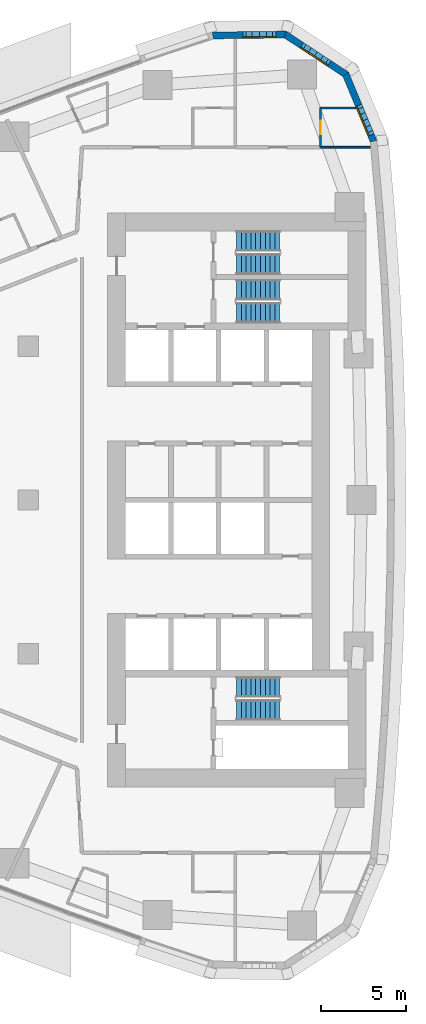
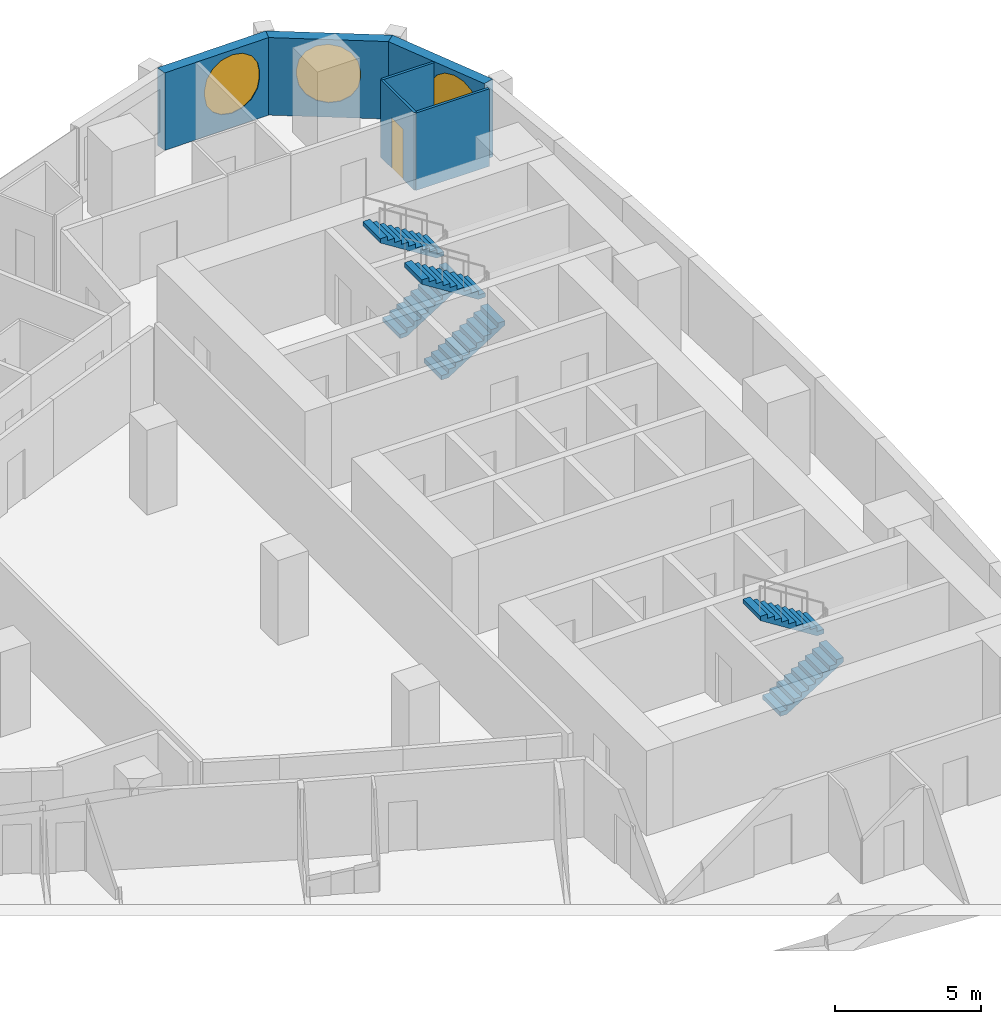
# One storey, part 13 of 17: 6 stair flights, 6 walls, 3 windows, 1 door, 4 openings, 3 elements without a shape of their own.
"""IFC4 building model written with IfcOpenShell, lengths in metres."""

from ifc_helpers import new_model, si_unit, direction, frame, frame_2d, origin, place, context, subcontext, project, spatial, polyline, rectangle, outline, extrude, material, layer, layer_set, type_object, element, fill, aggregate, save


model = new_model("IFC4")

# Units and contexts
model_context = context("Model", 3, precision=1e-05, world=origin(), true_north=direction((0.0, 1.0)))
body_context = subcontext(model_context, "Body", "Model", "MODEL_VIEW")
ifc_project = project(units=[si_unit("LENGTHUNIT", "METRE"), si_unit("AREAUNIT", "SQUARE_METRE"), si_unit("VOLUMEUNIT", "CUBIC_METRE"), si_unit("PLANEANGLEUNIT", "RADIAN"), si_unit("MASSUNIT", "GRAM", prefix="KILO")], contexts=[model_context])

# Site, building, storey
site_placement = place(None, origin())
site = spatial("IfcSite", under=ifc_project, at=site_placement, CompositionType="ELEMENT")
building_placement = place(site_placement, origin())
building = spatial("IfcBuilding", under=site, at=building_placement, Name="Ostrand Prow Hotel Tower", CompositionType="ELEMENT")
storey_placement = place(building_placement, frame((0.0, 0.0, 99.10009765625)))
storey = spatial("IfcBuildingStorey", under=building, at=storey_placement, Name="L23", CompositionType="ELEMENT", Elevation=99.10009765625)

# Wall, opening, door
ifc_material_1 = material(Name="Plasterboard partition")
ifc_layer_1 = layer(ifc_material_1, 0.10009765625)
ifc_layer_set_1 = layer_set([ifc_layer_1], Name="Plasterboard partition")
wall_type_1 = type_object("IfcWallType", Name="Partition 100 bathroom wall", PredefinedType="PARTITIONING", material=ifc_layer_set_1)
wall_1_placement = place(storey_placement, frame((62.111083984375, 20.64990234375, 0.0), z_axis=(0.0, 0.0, 1.0), x_axis=(0.0, 1.0, 0.0)))
wall_1 = element("IfcWall", 1, at=wall_1_placement, inside=storey, type_object=wall_type_1, Name="BATHROOM WALL", PredefinedType="PARTITIONING", context=body_context, shape_type="SweptSolid", body=[
    extrude(rectangle(XDim=2.300048828125, YDim=0.10009765625, at=frame_2d((1.14990234375, 0.0))), origin(), (0.0, 0.0, 1.0), 3.25),
])
opening_1_placement = place(wall_1_placement, frame((0.75, 0.0, 0.0)))
opening_1 = element("IfcOpeningElement", 2, at=opening_1_placement, cuts=wall_1, Name="Opening D2", PredefinedType="OPENING", context=body_context, shape_type="SweptSolid", body=[
    extrude(rectangle(XDim=0.800048828125, YDim=2.10009765625, at=frame_2d((0.39990234375, 1.050048828125))), frame((0.0, 0.06005859375, 0.0), z_axis=(0.0, -1.0, 0.0), x_axis=(1.0, 0.0, 0.0)), (0.0, 0.0, 1.0), 0.1201171875),
])
ifc_material_2 = material(Name="Timber door leaf", Category="wood")
door_type = type_object("IfcDoorType", Name="Bathroom door 800", OperationType="SINGLE_SWING_LEFT", PredefinedType="DOOR", material=ifc_material_2)
door_placement = place(opening_1_placement, origin())
door = element("IfcDoor", 3, at=door_placement, inside=storey, type_object=door_type, Name="DOOR", OperationType="SINGLE_SWING_LEFT", OverallHeight=2.10009765625, OverallWidth=0.800048828125, PredefinedType="DOOR", context=body_context, shape_type="SweptSolid", body=[
    extrude(rectangle(XDim=0.800048828125, YDim=2.10009765625, at=frame_2d((0.39990234375, 1.050048828125))), frame((0.0, 0.02490234375, 0.0), z_axis=(0.0, -1.0, 0.0), x_axis=(1.0, 0.0, 0.0)), (0.0, 0.0, 1.0), 0.050048828125),
])
fill(opening_1, door)

# Walls
wall_2_placement = place(storey_placement, frame((62.111083984375, 22.949951171875, 0.0), z_axis=(0.0, 0.0, 1.0), x_axis=(1.0, 0.0, 0.0)))
element("IfcWall", 4, at=wall_2_placement, inside=storey, type_object=wall_type_1, Name="BATHROOM WALL", PredefinedType="PARTITIONING", context=body_context, shape_type="SweptSolid", body=[
    extrude(rectangle(XDim=2.04931640625, YDim=0.10009765625, at=frame_2d((1.024658203125, 0.0))), origin(), (0.0, 0.0, 1.0), 3.25),
])
wall_3_placement = place(storey_placement, frame((65.016845703125, 20.655029296875, 0.0), z_axis=(0.0, 0.0, 1.0), x_axis=(-1.0, 0.0, 0.0)))
element("IfcWall", 5, at=wall_3_placement, inside=storey, type_object=wall_type_1, Name="BATHROOM WALL", PredefinedType="PARTITIONING", context=body_context, shape_type="SweptSolid", body=[
    extrude(rectangle(XDim=2.90576171875, YDim=0.10009765625, at=frame_2d((1.452880859375, 0.0))), origin(), (0.0, 0.0, 1.0), 3.25),
])

# Wall, opening, window
ifc_material_3 = material(Name="Precast concrete C40/50", Category="concrete")
ifc_layer_2 = layer(ifc_material_3, 0.39990234375)
ifc_layer_set_2 = layer_set([ifc_layer_2], Name="Precast concrete C40/50")
wall_type_2 = type_object("IfcWallType", Name="Stone-faced precast wall 400 mm", PredefinedType="NOTDEFINED", material=ifc_layer_set_2)
wall_4_placement = place(storey_placement, frame((65.21728515625, 21.001708984375, 0.0), z_axis=(0.0, 0.0, 1.0), x_axis=(-0.383997751971, 0.923334027577, 0.0)))
wall_4 = element("IfcWall", 6, at=wall_4_placement, inside=storey, type_object=wall_type_2, Name="Stone-faced wall back 15", PredefinedType="NOTDEFINED", context=body_context, shape_type="SweptSolid", body=[
    extrude(outline(polyline([(-0.031005859375, -0.199951171875), (4.300048828125, -0.199951171875), (4.177490234375, 0.199951171875), (0.031005859375, 0.199951171875), (-0.031005859375, -0.199951171875)])), origin(), (0.0, 0.0, 1.0), 3.25),
])
opening_2_placement = place(wall_4_placement, frame((0.28662109375, 0.0, 0.60009765625)))
opening_2 = element("IfcOpeningElement", 7, at=opening_2_placement, cuts=wall_4, Name="Opening WP1-21", PredefinedType="OPENING", context=body_context, shape_type="SweptSolid", body=[
    extrude(outline(polyline([(0.0, 1.39990234375), (0.079833984375, 1.8017578125), (0.3076171875, 2.142333984375), (0.648193359375, 2.3701171875), (1.050048828125, 2.449951171875), (1.451904296875, 2.3701171875), (1.79248046875, 2.142333984375), (2.020263671875, 1.8017578125), (2.10009765625, 1.39990234375), (2.10009765625, 1.050048828125), (2.020263671875, 0.648193359375), (1.79248046875, 0.3076171875), (1.451904296875, 0.079833984375), (1.050048828125, 0.0), (0.648193359375, 0.079833984375), (0.3076171875, 0.3076171875), (0.079833984375, 0.648193359375), (0.0, 1.050048828125), (0.0, 1.39990234375)])), frame((0.0, 0.2099609375, 0.0), z_axis=(0.0, -1.0, 0.0), x_axis=(1.0, 0.0, 0.0)), (0.0, 0.0, 1.0), 0.419921875),
])
ifc_material_4 = material(Name="Insulated glass in bronze frame", Category="glass")
window_type_1 = type_object("IfcWindowType", Name="Round-ended prow window 2100x2450", PartitioningType="SINGLE_PANEL", PredefinedType="WINDOW", material=ifc_material_4)
window_1_placement = place(opening_2_placement, origin())
window_1 = element("IfcWindow", 8, at=window_1_placement, inside=storey, type_object=window_type_1, Name="Window back 15.1", OverallHeight=2.449951171875, OverallWidth=2.10009765625, PartitioningType="SINGLE_PANEL", PredefinedType="WINDOW", context=body_context, shape_type="SweptSolid", body=[
    extrude(outline(polyline([(0.0, 1.39990234375), (0.079833984375, 1.8017578125), (0.3076171875, 2.142333984375), (0.648193359375, 2.3701171875), (1.050048828125, 2.449951171875), (1.451904296875, 2.3701171875), (1.79248046875, 2.142333984375), (2.020263671875, 1.8017578125), (2.10009765625, 1.39990234375), (2.10009765625, 1.050048828125), (2.020263671875, 0.648193359375), (1.79248046875, 0.3076171875), (1.451904296875, 0.079833984375), (1.050048828125, 0.0), (0.648193359375, 0.079833984375), (0.3076171875, 0.3076171875), (0.079833984375, 0.648193359375), (0.0, 1.050048828125), (0.0, 1.39990234375)])), frame((0.0, 0.169921875, 0.0), z_axis=(0.0, -1.0, 0.0), x_axis=(1.0, 0.0, 0.0)), (0.0, 0.0, 1.0), 0.06005859375),
])
fill(opening_2, window_1)

wall_5_placement = place(storey_placement, frame((63.589599609375, 24.91552734375, 0.0), z_axis=(0.0, 0.0, 1.0), x_axis=(-0.835340523653, 0.549732852887, 0.0)))
wall_5 = element("IfcWall", 9, at=wall_5_placement, inside=storey, type_object=wall_type_2, Name="Stone-faced wall back 16", PredefinedType="NOTDEFINED", context=body_context, shape_type="SweptSolid", body=[
    extrude(outline(polyline([(-0.061279296875, -0.199951171875), (4.30029296875, -0.199951171875), (4.177734375, 0.199951171875), (0.061279296875, 0.199951171875), (-0.061279296875, -0.199951171875)])), origin(), (0.0, 0.0, 1.0), 3.25),
])
opening_3_placement = place(wall_5_placement, frame((1.01953125, 0.0, 0.60009765625)))
opening_3 = element("IfcOpeningElement", 10, at=opening_3_placement, cuts=wall_5, Name="Opening WP1", PredefinedType="OPENING", context=body_context, shape_type="SweptSolid", body=[
    extrude(outline(polyline([(0.0, 1.35009765625), (0.083740234375, 1.77099609375), (0.322265625, 2.127685546875), (0.678955078125, 2.3662109375), (1.10009765625, 2.449951171875), (1.52099609375, 2.3662109375), (1.877685546875, 2.127685546875), (2.1162109375, 1.77099609375), (2.199951171875, 1.35009765625), (2.199951171875, 1.10009765625), (2.1162109375, 0.678955078125), (1.877685546875, 0.322265625), (1.52099609375, 0.083740234375), (1.10009765625, 0.0), (0.678955078125, 0.083740234375), (0.322265625, 0.322265625), (0.083740234375, 0.678955078125), (0.0, 1.099853515625), (0.0, 1.35009765625)])), frame((0.0, 0.2099609375, 0.0), z_axis=(0.0, -1.0, 0.0), x_axis=(1.0, 0.0, 0.0)), (0.0, 0.0, 1.0), 0.419921875),
])
ifc_material_5 = material(Name="Insulated glass in bronze frame", Category="glass")
window_type_2 = type_object("IfcWindowType", Name="Round-ended prow window 2200x2450", PartitioningType="SINGLE_PANEL", PredefinedType="WINDOW", material=ifc_material_5)
window_2_placement = place(opening_3_placement, origin())
window_2 = element("IfcWindow", 11, at=window_2_placement, inside=storey, type_object=window_type_2, Name="Window back 16.1", OverallHeight=2.449951171875, OverallWidth=2.199951171875, PartitioningType="SINGLE_PANEL", PredefinedType="WINDOW", context=body_context, shape_type="SweptSolid", body=[
    extrude(outline(polyline([(0.0, 1.35009765625), (0.083740234375, 1.77099609375), (0.322265625, 2.127685546875), (0.678955078125, 2.3662109375), (1.10009765625, 2.449951171875), (1.52099609375, 2.3662109375), (1.877685546875, 2.127685546875), (2.1162109375, 1.77099609375), (2.199951171875, 1.35009765625), (2.199951171875, 1.10009765625), (2.1162109375, 0.678955078125), (1.877685546875, 0.322265625), (1.52099609375, 0.083740234375), (1.10009765625, 0.0), (0.678955078125, 0.083740234375), (0.322265625, 0.322265625), (0.083740234375, 0.678955078125), (0.0, 1.099853515625), (0.0, 1.35009765625)])), frame((0.0, 0.169921875, 0.0), z_axis=(0.0, -1.0, 0.0), x_axis=(1.0, 0.0, 0.0)), (0.0, 0.0, 1.0), 0.06005859375),
])
fill(opening_3, window_2)

wall_6_placement = place(storey_placement, frame((60.048583984375, 27.245849609375, 0.0), z_axis=(0.0, 0.0, 1.0), x_axis=(-0.999919718849, -0.012671063772, 0.0)))
wall_6 = element("IfcWall", 12, at=wall_6_placement, inside=storey, type_object=wall_type_2, Name="Stone-faced wall back 17", PredefinedType="NOTDEFINED", context=body_context, shape_type="SweptSolid", body=[
    extrude(outline(polyline([(-0.061279296875, -0.199951171875), (4.269775390625, -0.199951171875), (4.207763671875, 0.199951171875), (0.061279296875, 0.199951171875), (-0.061279296875, -0.199951171875)])), origin(), (0.0, 0.0, 1.0), 3.25),
])
opening_4_placement = place(wall_6_placement, frame((0.418212890625, 0.0, 0.60009765625)))
opening_4 = element("IfcOpeningElement", 13, at=opening_4_placement, cuts=wall_6, Name="Opening WP1", PredefinedType="OPENING", context=body_context, shape_type="SweptSolid", body=[
    extrude(outline(polyline([(0.0, 1.35009765625), (0.083740234375, 1.77099609375), (0.322265625, 2.127685546875), (0.678955078125, 2.3662109375), (1.10009765625, 2.449951171875), (1.52099609375, 2.3662109375), (1.877685546875, 2.127685546875), (2.1162109375, 1.77099609375), (2.199951171875, 1.35009765625), (2.199951171875, 1.10009765625), (2.1162109375, 0.678955078125), (1.877685546875, 0.322265625), (1.52099609375, 0.083740234375), (1.10009765625, 0.0), (0.678955078125, 0.083740234375), (0.322265625, 0.322265625), (0.083740234375, 0.678955078125), (0.0, 1.099853515625), (0.0, 1.35009765625)])), frame((0.0, 0.2099609375, 0.0), z_axis=(0.0, -1.0, 0.0), x_axis=(1.0, 0.0, 0.0)), (0.0, 0.0, 1.0), 0.419921875),
])
window_3_placement = place(opening_4_placement, origin())
window_3 = element("IfcWindow", 14, at=window_3_placement, inside=storey, type_object=window_type_2, Name="Window back 17.1", OverallHeight=2.449951171875, OverallWidth=2.199951171875, PartitioningType="SINGLE_PANEL", PredefinedType="WINDOW", context=body_context, shape_type="SweptSolid", body=[
    extrude(outline(polyline([(0.0, 1.35009765625), (0.083740234375, 1.77099609375), (0.322265625, 2.127685546875), (0.678955078125, 2.3662109375), (1.10009765625, 2.449951171875), (1.52099609375, 2.3662109375), (1.877685546875, 2.127685546875), (2.1162109375, 1.77099609375), (2.199951171875, 1.35009765625), (2.199951171875, 1.10009765625), (2.1162109375, 0.678955078125), (1.877685546875, 0.322265625), (1.52099609375, 0.083740234375), (1.10009765625, 0.0), (0.678955078125, 0.083740234375), (0.322265625, 0.322265625), (0.083740234375, 0.678955078125), (0.0, 1.099853515625), (0.0, 1.35009765625)])), frame((0.0, 0.169921875, 0.0), z_axis=(0.0, -1.0, 0.0), x_axis=(1.0, 0.0, 0.0)), (0.0, 0.0, 1.0), 0.06005859375),
])
fill(opening_4, window_3)

# Stair, stair flights
ifc_material_6 = material(Name="Concrete C40/50", Category="concrete")
stair_type = type_object("IfcStairType", Name="Exit stair 1200 upper zone", PredefinedType="HALF_TURN_STAIR", material=ifc_material_6)
stair_1_placement = place(storey_placement, origin())
stair_1 = element("IfcStair", 15, at=stair_1_placement, inside=storey, type_object=stair_type, Name="L23 ST1C", PredefinedType="HALF_TURN_STAIR")
ifc_material_7 = material(Name="Concrete C40/50", Category="concrete")
stair_flight_type = type_object("IfcStairFlightType", Name="Stair flight 1200 concrete", PredefinedType="STRAIGHT", material=ifc_material_7)
stair_flight_1_placement = place(storey_placement, frame((57.199951171875, 10.949951171875, 0.0), z_axis=(0.0, 0.0, 1.0), x_axis=(1.0, 0.0, 0.0)))
stair_flight_1 = element("IfcStairFlight", 16, at=stair_flight_1_placement, type_object=stair_flight_type, Name="ST1C flight 1", NumberOfRisers=10, NumberOfTreads=9, PredefinedType="STRAIGHT", RiserHeight=0.1775, TreadLength=0.28, context=body_context, shape_type="SweptSolid", body=[
    extrude(outline(polyline([(0.0, 0.0), (0.0, 0.177490234375), (0.280029296875, 0.177490234375), (0.280029296875, 0.35498046875), (0.56005859375, 0.35498046875), (0.56005859375, 0.532470703125), (0.840087890625, 0.532470703125), (0.840087890625, 0.7099609375), (1.1201171875, 0.7099609375), (1.1201171875, 0.887451171875), (1.39990234375, 0.887451171875), (1.39990234375, 1.06494140625), (1.679931640625, 1.06494140625), (1.679931640625, 1.242431640625), (1.9599609375, 1.242431640625), (1.9599609375, 1.419921875), (2.239990234375, 1.419921875), (2.239990234375, 1.597412109375), (2.52001953125, 1.597412109375), (2.52001953125, 1.77490234375), (2.52001953125, 1.419921875), (0.280029296875, 0.0), (0.0, 0.0)])), frame((0.0, 0.60009765625, 0.0), z_axis=(0.0, -1.0, 0.0), x_axis=(1.0, 0.0, 0.0)), (0.0, 0.0, 1.0), 1.199951171875),
])
stair_flight_2_placement = place(storey_placement, frame((59.719970703125, 12.300048828125, 1.77490234375), z_axis=(0.0, 0.0, 1.0), x_axis=(-1.0, 0.0, 0.0)))
stair_flight_2 = element("IfcStairFlight", 17, at=stair_flight_2_placement, type_object=stair_flight_type, Name="ST1C flight 2", NumberOfRisers=10, NumberOfTreads=9, PredefinedType="STRAIGHT", RiserHeight=0.1775, TreadLength=0.28, context=body_context, shape_type="SweptSolid", body=[
    extrude(outline(polyline([(0.0, 0.0), (0.0, 0.177490234375), (0.280029296875, 0.177490234375), (0.280029296875, 0.35498046875), (0.56005859375, 0.35498046875), (0.56005859375, 0.532470703125), (0.840087890625, 0.532470703125), (0.840087890625, 0.7099609375), (1.1201171875, 0.7099609375), (1.1201171875, 0.887451171875), (1.39990234375, 0.887451171875), (1.39990234375, 1.06494140625), (1.679931640625, 1.06494140625), (1.679931640625, 1.242431640625), (1.9599609375, 1.242431640625), (1.9599609375, 1.419921875), (2.239990234375, 1.419921875), (2.239990234375, 1.597412109375), (2.52001953125, 1.597412109375), (2.52001953125, 1.77490234375), (2.52001953125, 1.419921875), (0.280029296875, 0.0), (0.0, 0.0)])), frame((0.0, 0.60009765625, 0.0), z_axis=(0.0, -1.0, 0.0), x_axis=(1.0, 0.0, 0.0)), (0.0, 0.0, 1.0), 1.199951171875),
])
aggregate(stair_1, [stair_flight_1, stair_flight_2])

stair_2_placement = place(storey_placement, origin())
stair_2 = element("IfcStair", 18, at=stair_2_placement, inside=storey, type_object=stair_type, Name="L23 ST3C", PredefinedType="HALF_TURN_STAIR")
stair_flight_3_placement = place(storey_placement, frame((57.199951171875, 13.800048828125, 0.0), z_axis=(0.0, 0.0, 1.0), x_axis=(1.0, 0.0, 0.0)))
stair_flight_3 = element("IfcStairFlight", 19, at=stair_flight_3_placement, type_object=stair_flight_type, Name="ST3C flight 1", NumberOfRisers=10, NumberOfTreads=9, PredefinedType="STRAIGHT", RiserHeight=0.1775, TreadLength=0.28, context=body_context, shape_type="SweptSolid", body=[
    extrude(outline(polyline([(0.0, 0.0), (0.0, 0.177490234375), (0.280029296875, 0.177490234375), (0.280029296875, 0.35498046875), (0.56005859375, 0.35498046875), (0.56005859375, 0.532470703125), (0.840087890625, 0.532470703125), (0.840087890625, 0.7099609375), (1.1201171875, 0.7099609375), (1.1201171875, 0.887451171875), (1.39990234375, 0.887451171875), (1.39990234375, 1.06494140625), (1.679931640625, 1.06494140625), (1.679931640625, 1.242431640625), (1.9599609375, 1.242431640625), (1.9599609375, 1.419921875), (2.239990234375, 1.419921875), (2.239990234375, 1.597412109375), (2.52001953125, 1.597412109375), (2.52001953125, 1.77490234375), (2.52001953125, 1.419921875), (0.280029296875, 0.0), (0.0, 0.0)])), frame((0.0, 0.60009765625, 0.0), z_axis=(0.0, -1.0, 0.0), x_axis=(1.0, 0.0, 0.0)), (0.0, 0.0, 1.0), 1.199951171875),
])
stair_flight_4_placement = place(storey_placement, frame((59.719970703125, 15.14990234375, 1.77490234375), z_axis=(0.0, 0.0, 1.0), x_axis=(-1.0, 0.0, 0.0)))
stair_flight_4 = element("IfcStairFlight", 20, at=stair_flight_4_placement, type_object=stair_flight_type, Name="ST3C flight 2", NumberOfRisers=10, NumberOfTreads=9, PredefinedType="STRAIGHT", RiserHeight=0.1775, TreadLength=0.28, context=body_context, shape_type="SweptSolid", body=[
    extrude(outline(polyline([(0.0, 0.0), (0.0, 0.177490234375), (0.280029296875, 0.177490234375), (0.280029296875, 0.35498046875), (0.56005859375, 0.35498046875), (0.56005859375, 0.532470703125), (0.840087890625, 0.532470703125), (0.840087890625, 0.7099609375), (1.1201171875, 0.7099609375), (1.1201171875, 0.887451171875), (1.39990234375, 0.887451171875), (1.39990234375, 1.06494140625), (1.679931640625, 1.06494140625), (1.679931640625, 1.242431640625), (1.9599609375, 1.242431640625), (1.9599609375, 1.419921875), (2.239990234375, 1.419921875), (2.239990234375, 1.597412109375), (2.52001953125, 1.597412109375), (2.52001953125, 1.77490234375), (2.52001953125, 1.419921875), (0.280029296875, 0.0), (0.0, 0.0)])), frame((0.0, 0.60009765625, 0.0), z_axis=(0.0, -1.0, 0.0), x_axis=(1.0, 0.0, 0.0)), (0.0, 0.0, 1.0), 1.199951171875),
])
aggregate(stair_2, [stair_flight_3, stair_flight_4])

stair_3_placement = place(storey_placement, origin())
stair_3 = element("IfcStair", 21, at=stair_3_placement, inside=storey, type_object=stair_type, Name="L23 ST2C", PredefinedType="HALF_TURN_STAIR")
stair_flight_5_placement = place(storey_placement, frame((57.199951171875, -12.300048828125, 0.0), z_axis=(0.0, 0.0, 1.0), x_axis=(1.0, 0.0, 0.0)))
stair_flight_5 = element("IfcStairFlight", 22, at=stair_flight_5_placement, type_object=stair_flight_type, Name="ST2C flight 1", NumberOfRisers=10, NumberOfTreads=9, PredefinedType="STRAIGHT", RiserHeight=0.1775, TreadLength=0.28, context=body_context, shape_type="SweptSolid", body=[
    extrude(outline(polyline([(0.0, 0.0), (0.0, 0.177490234375), (0.280029296875, 0.177490234375), (0.280029296875, 0.35498046875), (0.56005859375, 0.35498046875), (0.56005859375, 0.532470703125), (0.840087890625, 0.532470703125), (0.840087890625, 0.7099609375), (1.1201171875, 0.7099609375), (1.1201171875, 0.887451171875), (1.39990234375, 0.887451171875), (1.39990234375, 1.06494140625), (1.679931640625, 1.06494140625), (1.679931640625, 1.242431640625), (1.9599609375, 1.242431640625), (1.9599609375, 1.419921875), (2.239990234375, 1.419921875), (2.239990234375, 1.597412109375), (2.52001953125, 1.597412109375), (2.52001953125, 1.77490234375), (2.52001953125, 1.419921875), (0.280029296875, 0.0), (0.0, 0.0)])), frame((0.0, 0.60009765625, 0.0), z_axis=(0.0, -1.0, 0.0), x_axis=(1.0, 0.0, 0.0)), (0.0, 0.0, 1.0), 1.199951171875),
])
stair_flight_6_placement = place(storey_placement, frame((59.719970703125, -10.949951171875, 1.77490234375), z_axis=(0.0, 0.0, 1.0), x_axis=(-1.0, 0.0, 0.0)))
stair_flight_6 = element("IfcStairFlight", 23, at=stair_flight_6_placement, type_object=stair_flight_type, Name="ST2C flight 2", NumberOfRisers=10, NumberOfTreads=9, PredefinedType="STRAIGHT", RiserHeight=0.1775, TreadLength=0.28, context=body_context, shape_type="SweptSolid", body=[
    extrude(outline(polyline([(0.0, 0.0), (0.0, 0.177490234375), (0.280029296875, 0.177490234375), (0.280029296875, 0.35498046875), (0.56005859375, 0.35498046875), (0.56005859375, 0.532470703125), (0.840087890625, 0.532470703125), (0.840087890625, 0.7099609375), (1.1201171875, 0.7099609375), (1.1201171875, 0.887451171875), (1.39990234375, 0.887451171875), (1.39990234375, 1.06494140625), (1.679931640625, 1.06494140625), (1.679931640625, 1.242431640625), (1.9599609375, 1.242431640625), (1.9599609375, 1.419921875), (2.239990234375, 1.419921875), (2.239990234375, 1.597412109375), (2.52001953125, 1.597412109375), (2.52001953125, 1.77490234375), (2.52001953125, 1.419921875), (0.280029296875, 0.0), (0.0, 0.0)])), frame((0.0, 0.60009765625, 0.0), z_axis=(0.0, -1.0, 0.0), x_axis=(1.0, 0.0, 0.0)), (0.0, 0.0, 1.0), 1.199951171875),
])
aggregate(stair_3, [stair_flight_5, stair_flight_6])

save(model, "model.ifc")
